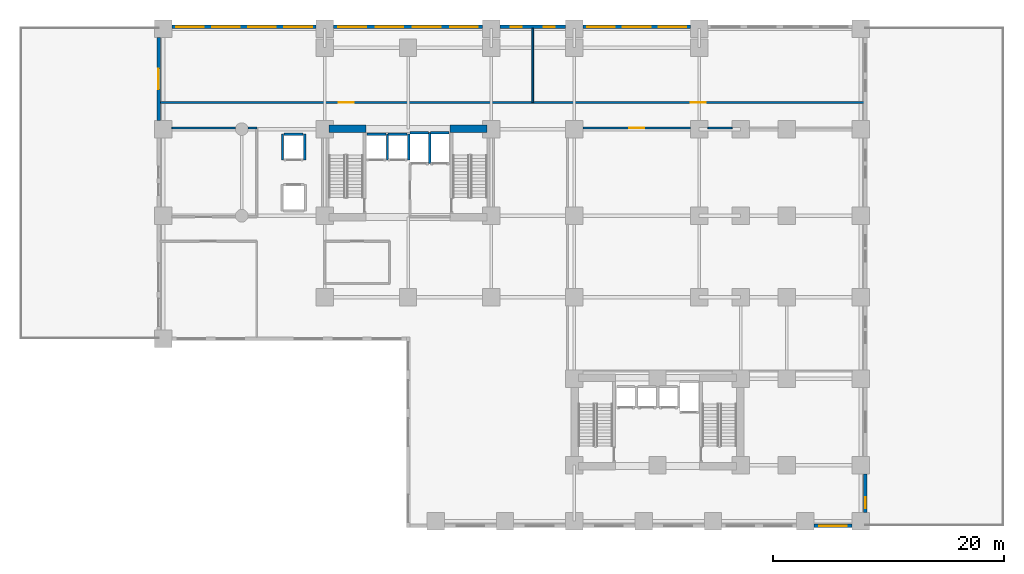
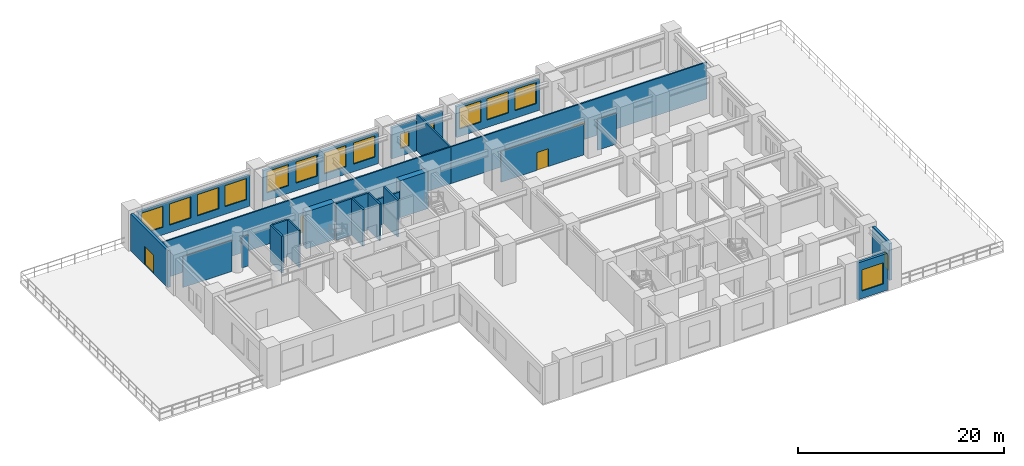
# One storey, part 5 of 10: 26 walls, 15 windows, 4 doors, 19 openings.
"""IFC4 building model written with IfcOpenShell, lengths in metres."""

from ifc_helpers import new_model, si_unit, direction, frame, frame_2d, origin, place, context, subcontext, project, spatial, rectangle, extrude, material, layer, layer_set, type_object, element, fill, save


model = new_model("IFC4")

# Units and contexts
model_context = context("Model", 3, precision=1e-05, world=origin(), true_north=direction((0.0, 1.0)))
body_context = subcontext(model_context, "Body", "Model", "MODEL_VIEW")
ifc_project = project(units=[si_unit("LENGTHUNIT", "METRE"), si_unit("AREAUNIT", "SQUARE_METRE"), si_unit("VOLUMEUNIT", "CUBIC_METRE"), si_unit("PLANEANGLEUNIT", "RADIAN"), si_unit("MASSUNIT", "GRAM", prefix="KILO")], contexts=[model_context])

# Site, building, storey
site_placement = place(None, origin())
site = spatial("IfcSite", under=ifc_project, at=site_placement, CompositionType="ELEMENT")
building_placement = place(site_placement, origin())
building = spatial("IfcBuilding", under=site, at=building_placement, Name="Kaliganga Portal Commons", CompositionType="ELEMENT")
storey_placement = place(building_placement, frame((0.0, 0.0, 15.0)))
storey = spatial("IfcBuildingStorey", under=building, at=storey_placement, Name="L03", CompositionType="ELEMENT", Elevation=15.0)

# Walls
ifc_material_1 = material(Name="Concrete C70/85", Category="concrete")
ifc_layer_1 = layer(ifc_material_1, 0.64990234375)
ifc_layer_set_1 = layer_set([ifc_layer_1], Name="Concrete C70/85")
wall_type_1 = type_object("IfcWallType", Name="WL-CORE-650", PredefinedType="SHEAR", material=ifc_layer_set_1)
for number, where, z_axis, x_axis, name in (
    (1, (14.75, 36.175048828125, 0.0), (0.0, 0.0, 1.0), (1.0, 0.0, 0.0), "Core A N-West Shear Wall L03"),
    (2, (25.25, 36.175048828125, 0.0), (0.0, 0.0, 1.0), (1.0, 0.0, 0.0), "Core A N-East Shear Wall L03"),
):
    element("IfcWall", number, at=place(storey_placement, frame(where, z_axis=z_axis, x_axis=x_axis)), inside=storey, type_object=wall_type_1, Name=name, PredefinedType="SHEAR", context=body_context, shape_type="SweptSolid", body=[
        extrude(rectangle(XDim=3.199951171875, YDim=0.64990234375, at=frame_2d((1.60009765625, 0.0))), origin(), (0.0, 0.0, 1.0), 4.3798828125),
    ])

# Wall, opening, window
ifc_material_2 = material(Name="Precast concrete C40/50", Category="concrete")
ifc_layer_2 = layer(ifc_material_2, 0.300048828125)
ifc_layer_set_2 = layer_set([ifc_layer_2], Name="Precast concrete C40/50")
wall_type_2 = type_object("IfcWallType", Name="WL-EXT-POD-300", PredefinedType="STANDARD", material=ifc_layer_set_2)
wall_1_placement = place(storey_placement, frame((60.049072265625, 1.800048828125, 0.0), z_axis=(0.0, 0.0, 1.0), x_axis=(-1.0, 0.0, 0.0)))
wall_1 = element("IfcWall", 3, at=wall_1_placement, inside=storey, type_object=wall_type_2, Name="Exterior Envelope Wall L03 P1-E00-S7", PredefinedType="STANDARD", context=body_context, shape_type="SweptSolid", body=[
    extrude(rectangle(XDim=3.298095703125, YDim=0.300048828125, at=frame_2d((1.64892578125, 0.0))), origin(), (0.0, 0.0, 1.0), 4.360107421875),
])
opening_1_placement = place(wall_1_placement, frame((0.448974609375, 0.0, 0.89990234375)))
opening_1 = element("IfcOpeningElement", 4, at=opening_1_placement, cuts=wall_1, Name="Opening W-05", PredefinedType="OPENING", context=body_context, shape_type="SweptSolid", body=[
    extrude(rectangle(XDim=2.39990234375, YDim=2.5, at=frame_2d((1.199951171875, 1.25))), frame((0.0, 0.16015625, 0.0), z_axis=(0.0, -1.0, 0.0), x_axis=(1.0, 0.0, 0.0)), (0.0, 0.0, 1.0), 0.320068359375),
])
ifc_material_3 = material(Name="Thermally Broken Aluminium and Low-E Double Glazing", Category="aluminium")
window_type_1 = type_object("IfcWindowType", Name="WIN-POD-2400", PartitioningType="TRIPLE_PANEL_VERTICAL", PredefinedType="WINDOW", material=ifc_material_3)
window_1_placement = place(opening_1_placement, origin())
window_1 = element("IfcWindow", 5, at=window_1_placement, inside=storey, type_object=window_type_1, Name="Facade Window L03-P1E00S7-00", OverallHeight=2.5, OverallWidth=2.39990234375, PartitioningType="SINGLE_PANEL", PredefinedType="WINDOW", context=body_context, shape_type="SweptSolid", body=[
    extrude(rectangle(XDim=2.39990234375, YDim=2.5, at=frame_2d((1.199951171875, 1.25))), frame((0.0, 0.030029296875, 0.0), z_axis=(0.0, -1.0, 0.0), x_axis=(1.0, 0.0, 0.0)), (0.0, 0.0, 1.0), 0.06005859375),
])
fill(opening_1, window_1)

wall_2_placement = place(storey_placement, frame((61.199951171875, 6.299072265625, 0.0), z_axis=(0.0, 0.0, 1.0), x_axis=(0.0, -1.0, 0.0)))
wall_2 = element("IfcWall", 6, at=wall_2_placement, inside=storey, type_object=wall_type_2, Name="Exterior Envelope Wall L03 P1-E01-S1", PredefinedType="STANDARD", context=body_context, shape_type="SweptSolid", body=[
    extrude(rectangle(XDim=3.34814453125, YDim=0.300048828125, at=frame_2d((1.674072265625, 0.0))), origin(), (0.0, 0.0, 1.0), 4.360107421875),
])
opening_2_placement = place(wall_2_placement, frame((2.029296875, 0.0, 0.89990234375)))
opening_2 = element("IfcOpeningElement", 7, at=opening_2_placement, cuts=wall_2, Name="Opening W-04", PredefinedType="OPENING", context=body_context, shape_type="SweptSolid", body=[
    extrude(rectangle(XDim=0.949951171875, YDim=1.75, at=frame_2d((0.47509765625, 0.875))), frame((0.0, 0.16015625, 0.0), z_axis=(0.0, -1.0, 0.0), x_axis=(1.0, 0.0, 0.0)), (0.0, 0.0, 1.0), 0.320068359375),
])
window_type_2 = type_object("IfcWindowType", Name="WIN-NARROW-950", PartitioningType="SINGLE_PANEL", PredefinedType="WINDOW", material=ifc_material_3)
window_2_placement = place(opening_2_placement, origin())
window_2 = element("IfcWindow", 8, at=window_2_placement, inside=storey, type_object=window_type_2, Name="Facade Window L03-P1E01S1-N2", OverallHeight=1.75, OverallWidth=0.949951171875, PartitioningType="SINGLE_PANEL", PredefinedType="WINDOW", context=body_context, shape_type="SweptSolid", body=[
    extrude(rectangle(XDim=0.949951171875, YDim=1.75, at=frame_2d((0.47509765625, 0.875))), frame((0.0, 0.030029296875, 0.0), z_axis=(0.0, -1.0, 0.0), x_axis=(1.0, 0.0, 0.0)), (0.0, 0.0, 1.0), 0.06005859375),
])
fill(opening_2, window_2)

# Wall, openings, windows
wall_3_placement = place(storey_placement, frame((36.7509765625, 45.0, 0.0), z_axis=(0.0, 0.0, 1.0), x_axis=(1.0, 0.0, 0.0)))
wall_3 = element("IfcWall", 9, at=wall_3_placement, inside=storey, type_object=wall_type_2, Name="Exterior Envelope Wall L03 P1-E02-S2", PredefinedType="STANDARD", context=body_context, shape_type="SweptSolid", body=[
    extrude(rectangle(XDim=9.298095703125, YDim=0.300048828125, at=frame_2d((4.64892578125, 0.0))), origin(), (0.0, 0.0, 1.0), 3.659912109375),
])
opening_3_placement = place(wall_3_placement, frame((0.349609375, 0.0, 0.89990234375)))
opening_3 = element("IfcOpeningElement", 10, at=opening_3_placement, cuts=wall_3, Name="Opening W-05", PredefinedType="OPENING", context=body_context, shape_type="SweptSolid", body=[
    extrude(rectangle(XDim=2.39990234375, YDim=2.5, at=frame_2d((1.199951171875, 1.25))), frame((0.0, 0.16015625, 0.0), z_axis=(0.0, -1.0, 0.0), x_axis=(1.0, 0.0, 0.0)), (0.0, 0.0, 1.0), 0.320068359375),
])
opening_4_placement = place(wall_3_placement, frame((3.448974609375, 0.0, 0.89990234375)))
opening_4 = element("IfcOpeningElement", 11, at=opening_4_placement, cuts=wall_3, Name="Opening W-05", PredefinedType="OPENING", context=body_context, shape_type="SweptSolid", body=[
    extrude(rectangle(XDim=2.39990234375, YDim=2.5, at=frame_2d((1.199951171875, 1.25))), frame((0.0, 0.16015625, 0.0), z_axis=(0.0, -1.0, 0.0), x_axis=(1.0, 0.0, 0.0)), (0.0, 0.0, 1.0), 0.320068359375),
])
opening_5_placement = place(wall_3_placement, frame((6.54833984375, 0.0, 0.89990234375)))
opening_5 = element("IfcOpeningElement", 12, at=opening_5_placement, cuts=wall_3, Name="Opening W-05", PredefinedType="OPENING", context=body_context, shape_type="SweptSolid", body=[
    extrude(rectangle(XDim=2.39990234375, YDim=2.5, at=frame_2d((1.199951171875, 1.25))), frame((0.0, 0.16015625, 0.0), z_axis=(0.0, -1.0, 0.0), x_axis=(1.0, 0.0, 0.0)), (0.0, 0.0, 1.0), 0.320068359375),
])
window_3_placement = place(opening_3_placement, origin())
window_3 = element("IfcWindow", 13, at=window_3_placement, inside=storey, type_object=window_type_1, Name="Facade Window L03-P1E02S2-00", OverallHeight=2.5, OverallWidth=2.39990234375, PartitioningType="SINGLE_PANEL", PredefinedType="WINDOW", context=body_context, shape_type="SweptSolid", body=[
    extrude(rectangle(XDim=2.39990234375, YDim=2.5, at=frame_2d((1.199951171875, 1.25))), frame((0.0, 0.030029296875, 0.0), z_axis=(0.0, -1.0, 0.0), x_axis=(1.0, 0.0, 0.0)), (0.0, 0.0, 1.0), 0.06005859375),
])
fill(opening_3, window_3)
window_4_placement = place(opening_4_placement, origin())
window_4 = element("IfcWindow", 14, at=window_4_placement, inside=storey, type_object=window_type_1, Name="Facade Window L03-P1E02S2-01", OverallHeight=2.5, OverallWidth=2.39990234375, PartitioningType="SINGLE_PANEL", PredefinedType="WINDOW", context=body_context, shape_type="SweptSolid", body=[
    extrude(rectangle(XDim=2.39990234375, YDim=2.5, at=frame_2d((1.199951171875, 1.25))), frame((0.0, 0.030029296875, 0.0), z_axis=(0.0, -1.0, 0.0), x_axis=(1.0, 0.0, 0.0)), (0.0, 0.0, 1.0), 0.06005859375),
])
fill(opening_4, window_4)
window_5_placement = place(opening_5_placement, origin())
window_5 = element("IfcWindow", 15, at=window_5_placement, inside=storey, type_object=window_type_1, Name="Facade Window L03-P1E02S2-02", OverallHeight=2.5, OverallWidth=2.39990234375, PartitioningType="SINGLE_PANEL", PredefinedType="WINDOW", context=body_context, shape_type="SweptSolid", body=[
    extrude(rectangle(XDim=2.39990234375, YDim=2.5, at=frame_2d((1.199951171875, 1.25))), frame((0.0, 0.030029296875, 0.0), z_axis=(0.0, -1.0, 0.0), x_axis=(1.0, 0.0, 0.0)), (0.0, 0.0, 1.0), 0.06005859375),
])
fill(opening_5, window_5)

wall_4_placement = place(storey_placement, frame((29.551025390625, 45.0, 0.0), z_axis=(0.0, 0.0, 1.0), x_axis=(1.0, 0.0, 0.0)))
wall_4 = element("IfcWall", 16, at=wall_4_placement, inside=storey, type_object=wall_type_2, Name="Exterior Envelope Wall L03 P1-E02-S3", PredefinedType="STANDARD", context=body_context, shape_type="SweptSolid", body=[
    extrude(rectangle(XDim=5.697998046875, YDim=0.300048828125, at=frame_2d((2.84912109375, 0.0))), origin(), (0.0, 0.0, 1.0), 3.659912109375),
])
opening_6_placement = place(wall_4_placement, frame((0.9609375, 0.0, 0.89990234375)))
opening_6 = element("IfcOpeningElement", 17, at=opening_6_placement, cuts=wall_4, Name="Opening W-04", PredefinedType="OPENING", context=body_context, shape_type="SweptSolid", body=[
    extrude(rectangle(XDim=0.949951171875, YDim=1.75, at=frame_2d((0.47509765625, 0.875))), frame((0.0, 0.16015625, 0.0), z_axis=(0.0, -1.0, 0.0), x_axis=(1.0, 0.0, 0.0)), (0.0, 0.0, 1.0), 0.320068359375),
])
opening_7_placement = place(wall_4_placement, frame((3.787109375, 0.0, 0.89990234375)))
opening_7 = element("IfcOpeningElement", 18, at=opening_7_placement, cuts=wall_4, Name="Opening W-04", PredefinedType="OPENING", context=body_context, shape_type="SweptSolid", body=[
    extrude(rectangle(XDim=0.949951171875, YDim=1.75, at=frame_2d((0.47509765625, 0.875))), frame((0.0, 0.16015625, 0.0), z_axis=(0.0, -1.0, 0.0), x_axis=(1.0, 0.0, 0.0)), (0.0, 0.0, 1.0), 0.320068359375),
])
window_6_placement = place(opening_6_placement, origin())
window_6 = element("IfcWindow", 19, at=window_6_placement, inside=storey, type_object=window_type_2, Name="Facade Window L03-P1E02S3-N1", OverallHeight=1.75, OverallWidth=0.949951171875, PartitioningType="SINGLE_PANEL", PredefinedType="WINDOW", context=body_context, shape_type="SweptSolid", body=[
    extrude(rectangle(XDim=0.949951171875, YDim=1.75, at=frame_2d((0.47509765625, 0.875))), frame((0.0, 0.030029296875, 0.0), z_axis=(0.0, -1.0, 0.0), x_axis=(1.0, 0.0, 0.0)), (0.0, 0.0, 1.0), 0.06005859375),
])
fill(opening_6, window_6)
window_7_placement = place(opening_7_placement, origin())
window_7 = element("IfcWindow", 20, at=window_7_placement, inside=storey, type_object=window_type_2, Name="Facade Window L03-P1E02S3-N2", OverallHeight=1.75, OverallWidth=0.949951171875, PartitioningType="SINGLE_PANEL", PredefinedType="WINDOW", context=body_context, shape_type="SweptSolid", body=[
    extrude(rectangle(XDim=0.949951171875, YDim=1.75, at=frame_2d((0.47509765625, 0.875))), frame((0.0, 0.030029296875, 0.0), z_axis=(0.0, -1.0, 0.0), x_axis=(1.0, 0.0, 0.0)), (0.0, 0.0, 1.0), 0.06005859375),
])
fill(opening_7, window_7)

wall_5_placement = place(storey_placement, frame((15.15087890625, 45.0, 0.0), z_axis=(0.0, 0.0, 1.0), x_axis=(1.0, 0.0, 0.0)))
wall_5 = element("IfcWall", 21, at=wall_5_placement, inside=storey, type_object=wall_type_2, Name="Exterior Envelope Wall L03 P1-E02-S4", PredefinedType="STANDARD", context=body_context, shape_type="SweptSolid", body=[
    extrude(rectangle(XDim=12.898193359375, YDim=0.300048828125, at=frame_2d((6.44921875, 0.0))), origin(), (0.0, 0.0, 1.0), 3.659912109375),
])
opening_8_placement = place(wall_5_placement, frame((0.412353515625, 0.0, 0.89990234375)))
opening_8 = element("IfcOpeningElement", 22, at=opening_8_placement, cuts=wall_5, Name="Opening W-05", PredefinedType="OPENING", context=body_context, shape_type="SweptSolid", body=[
    extrude(rectangle(XDim=2.39990234375, YDim=2.5, at=frame_2d((1.199951171875, 1.25))), frame((0.0, 0.16015625, 0.0), z_axis=(0.0, -1.0, 0.0), x_axis=(1.0, 0.0, 0.0)), (0.0, 0.0, 1.0), 0.320068359375),
])
opening_9_placement = place(wall_5_placement, frame((3.63671875, 0.0, 0.89990234375)))
opening_9 = element("IfcOpeningElement", 23, at=opening_9_placement, cuts=wall_5, Name="Opening W-05", PredefinedType="OPENING", context=body_context, shape_type="SweptSolid", body=[
    extrude(rectangle(XDim=2.39990234375, YDim=2.5, at=frame_2d((1.199951171875, 1.25))), frame((0.0, 0.16015625, 0.0), z_axis=(0.0, -1.0, 0.0), x_axis=(1.0, 0.0, 0.0)), (0.0, 0.0, 1.0), 0.320068359375),
])
opening_10_placement = place(wall_5_placement, frame((6.861083984375, 0.0, 0.89990234375)))
opening_10 = element("IfcOpeningElement", 24, at=opening_10_placement, cuts=wall_5, Name="Opening W-05", PredefinedType="OPENING", context=body_context, shape_type="SweptSolid", body=[
    extrude(rectangle(XDim=2.39990234375, YDim=2.5, at=frame_2d((1.199951171875, 1.25))), frame((0.0, 0.16015625, 0.0), z_axis=(0.0, -1.0, 0.0), x_axis=(1.0, 0.0, 0.0)), (0.0, 0.0, 1.0), 0.320068359375),
])
opening_11_placement = place(wall_5_placement, frame((10.085693359375, 0.0, 0.89990234375)))
opening_11 = element("IfcOpeningElement", 25, at=opening_11_placement, cuts=wall_5, Name="Opening W-05", PredefinedType="OPENING", context=body_context, shape_type="SweptSolid", body=[
    extrude(rectangle(XDim=2.39990234375, YDim=2.5, at=frame_2d((1.199951171875, 1.25))), frame((0.0, 0.16015625, 0.0), z_axis=(0.0, -1.0, 0.0), x_axis=(1.0, 0.0, 0.0)), (0.0, 0.0, 1.0), 0.320068359375),
])
window_8_placement = place(opening_8_placement, origin())
window_8 = element("IfcWindow", 26, at=window_8_placement, inside=storey, type_object=window_type_1, Name="Facade Window L03-P1E02S4-00", OverallHeight=2.5, OverallWidth=2.39990234375, PartitioningType="SINGLE_PANEL", PredefinedType="WINDOW", context=body_context, shape_type="SweptSolid", body=[
    extrude(rectangle(XDim=2.39990234375, YDim=2.5, at=frame_2d((1.199951171875, 1.25))), frame((0.0, 0.030029296875, 0.0), z_axis=(0.0, -1.0, 0.0), x_axis=(1.0, 0.0, 0.0)), (0.0, 0.0, 1.0), 0.06005859375),
])
fill(opening_8, window_8)
window_9_placement = place(opening_9_placement, origin())
window_9 = element("IfcWindow", 27, at=window_9_placement, inside=storey, type_object=window_type_1, Name="Facade Window L03-P1E02S4-01", OverallHeight=2.5, OverallWidth=2.39990234375, PartitioningType="SINGLE_PANEL", PredefinedType="WINDOW", context=body_context, shape_type="SweptSolid", body=[
    extrude(rectangle(XDim=2.39990234375, YDim=2.5, at=frame_2d((1.199951171875, 1.25))), frame((0.0, 0.030029296875, 0.0), z_axis=(0.0, -1.0, 0.0), x_axis=(1.0, 0.0, 0.0)), (0.0, 0.0, 1.0), 0.06005859375),
])
fill(opening_9, window_9)
window_10_placement = place(opening_10_placement, origin())
window_10 = element("IfcWindow", 28, at=window_10_placement, inside=storey, type_object=window_type_1, Name="Facade Window L03-P1E02S4-02", OverallHeight=2.5, OverallWidth=2.39990234375, PartitioningType="SINGLE_PANEL", PredefinedType="WINDOW", context=body_context, shape_type="SweptSolid", body=[
    extrude(rectangle(XDim=2.39990234375, YDim=2.5, at=frame_2d((1.199951171875, 1.25))), frame((0.0, 0.030029296875, 0.0), z_axis=(0.0, -1.0, 0.0), x_axis=(1.0, 0.0, 0.0)), (0.0, 0.0, 1.0), 0.06005859375),
])
fill(opening_10, window_10)
window_11_placement = place(opening_11_placement, origin())
window_11 = element("IfcWindow", 29, at=window_11_placement, inside=storey, type_object=window_type_1, Name="Facade Window L03-P1E02S4-03", OverallHeight=2.5, OverallWidth=2.39990234375, PartitioningType="SINGLE_PANEL", PredefinedType="WINDOW", context=body_context, shape_type="SweptSolid", body=[
    extrude(rectangle(XDim=2.39990234375, YDim=2.5, at=frame_2d((1.199951171875, 1.25))), frame((0.0, 0.030029296875, 0.0), z_axis=(0.0, -1.0, 0.0), x_axis=(1.0, 0.0, 0.0)), (0.0, 0.0, 1.0), 0.06005859375),
])
fill(opening_11, window_11)

wall_6_placement = place(storey_placement, frame((1.15087890625, 45.0, 0.0), z_axis=(0.0, 0.0, 1.0), x_axis=(1.0, 0.0, 0.0)))
wall_6 = element("IfcWall", 30, at=wall_6_placement, inside=storey, type_object=wall_type_2, Name="Exterior Envelope Wall L03 P1-E02-S5", PredefinedType="STANDARD", context=body_context, shape_type="SweptSolid", body=[
    extrude(rectangle(XDim=12.498046875, YDim=0.300048828125, at=frame_2d((6.2490234375, 0.0))), origin(), (0.0, 0.0, 1.0), 3.659912109375),
])
opening_12_placement = place(wall_6_placement, frame((0.3623046875, 0.0, 0.89990234375)))
opening_12 = element("IfcOpeningElement", 31, at=opening_12_placement, cuts=wall_6, Name="Opening W-05", PredefinedType="OPENING", context=body_context, shape_type="SweptSolid", body=[
    extrude(rectangle(XDim=2.39990234375, YDim=2.5, at=frame_2d((1.199951171875, 1.25))), frame((0.0, 0.16015625, 0.0), z_axis=(0.0, -1.0, 0.0), x_axis=(1.0, 0.0, 0.0)), (0.0, 0.0, 1.0), 0.320068359375),
])
opening_13_placement = place(wall_6_placement, frame((3.48681640625, 0.0, 0.89990234375)))
opening_13 = element("IfcOpeningElement", 32, at=opening_13_placement, cuts=wall_6, Name="Opening W-05", PredefinedType="OPENING", context=body_context, shape_type="SweptSolid", body=[
    extrude(rectangle(XDim=2.39990234375, YDim=2.5, at=frame_2d((1.199951171875, 1.25))), frame((0.0, 0.16015625, 0.0), z_axis=(0.0, -1.0, 0.0), x_axis=(1.0, 0.0, 0.0)), (0.0, 0.0, 1.0), 0.320068359375),
])
opening_14_placement = place(wall_6_placement, frame((6.611083984375, 0.0, 0.89990234375)))
opening_14 = element("IfcOpeningElement", 33, at=opening_14_placement, cuts=wall_6, Name="Opening W-05", PredefinedType="OPENING", context=body_context, shape_type="SweptSolid", body=[
    extrude(rectangle(XDim=2.39990234375, YDim=2.5, at=frame_2d((1.199951171875, 1.25))), frame((0.0, 0.16015625, 0.0), z_axis=(0.0, -1.0, 0.0), x_axis=(1.0, 0.0, 0.0)), (0.0, 0.0, 1.0), 0.320068359375),
])
opening_15_placement = place(wall_6_placement, frame((9.735595703125, 0.0, 0.89990234375)))
opening_15 = element("IfcOpeningElement", 34, at=opening_15_placement, cuts=wall_6, Name="Opening W-05", PredefinedType="OPENING", context=body_context, shape_type="SweptSolid", body=[
    extrude(rectangle(XDim=2.39990234375, YDim=2.5, at=frame_2d((1.199951171875, 1.25))), frame((0.0, 0.16015625, 0.0), z_axis=(0.0, -1.0, 0.0), x_axis=(1.0, 0.0, 0.0)), (0.0, 0.0, 1.0), 0.320068359375),
])
window_12_placement = place(opening_12_placement, origin())
window_12 = element("IfcWindow", 35, at=window_12_placement, inside=storey, type_object=window_type_1, Name="Facade Window L03-P1E02S5-00", OverallHeight=2.5, OverallWidth=2.39990234375, PartitioningType="SINGLE_PANEL", PredefinedType="WINDOW", context=body_context, shape_type="SweptSolid", body=[
    extrude(rectangle(XDim=2.39990234375, YDim=2.5, at=frame_2d((1.199951171875, 1.25))), frame((0.0, 0.030029296875, 0.0), z_axis=(0.0, -1.0, 0.0), x_axis=(1.0, 0.0, 0.0)), (0.0, 0.0, 1.0), 0.06005859375),
])
fill(opening_12, window_12)
window_13_placement = place(opening_13_placement, origin())
window_13 = element("IfcWindow", 36, at=window_13_placement, inside=storey, type_object=window_type_1, Name="Facade Window L03-P1E02S5-01", OverallHeight=2.5, OverallWidth=2.39990234375, PartitioningType="SINGLE_PANEL", PredefinedType="WINDOW", context=body_context, shape_type="SweptSolid", body=[
    extrude(rectangle(XDim=2.39990234375, YDim=2.5, at=frame_2d((1.199951171875, 1.25))), frame((0.0, 0.030029296875, 0.0), z_axis=(0.0, -1.0, 0.0), x_axis=(1.0, 0.0, 0.0)), (0.0, 0.0, 1.0), 0.06005859375),
])
fill(opening_13, window_13)
window_14_placement = place(opening_14_placement, origin())
window_14 = element("IfcWindow", 37, at=window_14_placement, inside=storey, type_object=window_type_1, Name="Facade Window L03-P1E02S5-02", OverallHeight=2.5, OverallWidth=2.39990234375, PartitioningType="SINGLE_PANEL", PredefinedType="WINDOW", context=body_context, shape_type="SweptSolid", body=[
    extrude(rectangle(XDim=2.39990234375, YDim=2.5, at=frame_2d((1.199951171875, 1.25))), frame((0.0, 0.030029296875, 0.0), z_axis=(0.0, -1.0, 0.0), x_axis=(1.0, 0.0, 0.0)), (0.0, 0.0, 1.0), 0.06005859375),
])
fill(opening_14, window_14)
window_15_placement = place(opening_15_placement, origin())
window_15 = element("IfcWindow", 38, at=window_15_placement, inside=storey, type_object=window_type_1, Name="Facade Window L03-P1E02S5-03", OverallHeight=2.5, OverallWidth=2.39990234375, PartitioningType="SINGLE_PANEL", PredefinedType="WINDOW", context=body_context, shape_type="SweptSolid", body=[
    extrude(rectangle(XDim=2.39990234375, YDim=2.5, at=frame_2d((1.199951171875, 1.25))), frame((0.0, 0.030029296875, 0.0), z_axis=(0.0, -1.0, 0.0), x_axis=(1.0, 0.0, 0.0)), (0.0, 0.0, 1.0), 0.06005859375),
])
fill(opening_15, window_15)

# Wall, opening, door
wall_7_placement = place(storey_placement, frame((0.0, 36.90087890625, 0.0), z_axis=(0.0, 0.0, 1.0), x_axis=(0.0, 1.0, 0.0)))
wall_7 = element("IfcWall", 39, at=wall_7_placement, inside=storey, type_object=wall_type_2, Name="Exterior Envelope Wall L03 P1-E03-S1", PredefinedType="STANDARD", context=body_context, shape_type="SweptSolid", body=[
    extrude(rectangle(XDim=7.1982421875, YDim=0.300048828125, at=frame_2d((3.59912109375, 0.0))), origin(), (0.0, 0.0, 1.0), 4.360107421875),
])
opening_16_placement = place(wall_7_placement, frame((2.698974609375, 0.0, 0.0)))
opening_16 = element("IfcOpeningElement", 40, at=opening_16_placement, cuts=wall_7, Name="Opening TD-01", PredefinedType="OPENING", context=body_context, shape_type="SweptSolid", body=[
    extrude(rectangle(XDim=1.800048828125, YDim=2.199951171875, at=frame_2d((0.89990234375, 1.10009765625))), frame((0.0, 0.16015625, 0.0), z_axis=(0.0, -1.0, 0.0), x_axis=(1.0, 0.0, 0.0)), (0.0, 0.0, 1.0), 0.320068359375),
])
ifc_material_4 = material(Name="Anodized Aluminium and Laminated Safety Glass", Category="aluminium")
door_type_1 = type_object("IfcDoorType", Name="DR-TERR-1800", OperationType="DOUBLE_DOOR_SINGLE_SWING", PredefinedType="DOOR", material=ifc_material_4)
door_1_placement = place(opening_16_placement, origin())
door_1 = element("IfcDoor", 41, at=door_1_placement, inside=storey, type_object=door_type_1, Name="Terrace Access Door L03 west_podium_terrace", OperationType="DOUBLE_DOOR_SINGLE_SWING", OverallHeight=2.199951171875, OverallWidth=1.800048828125, PredefinedType="DOOR", context=body_context, shape_type="SweptSolid", body=[
    extrude(rectangle(XDim=1.800048828125, YDim=2.199951171875, at=frame_2d((0.89990234375, 1.10009765625))), frame((0.0, 0.02490234375, 0.0), z_axis=(0.0, -1.0, 0.0), x_axis=(1.0, 0.0, 0.0)), (0.0, 0.0, 1.0), 0.050048828125),
])
fill(opening_16, door_1)

ifc_material_5 = material(Name="Fire-Rated Gypsum Board on Steel Stud", Category="steel")
ifc_layer_3 = layer(ifc_material_5, 0.14990234375)
ifc_layer_set_3 = layer_set([ifc_layer_3], Name="Fire-Rated Gypsum Board on Steel Stud")
wall_type_3 = type_object("IfcWallType", Name="WL-PART-CORR-150", PredefinedType="PARTITIONING", material=ifc_layer_set_3)
wall_8_placement = place(storey_placement, frame((0.132080078125, 38.4599609375, 0.0), z_axis=(0.0, 0.0, 1.0), x_axis=(1.0, 0.0, 0.0)))
wall_8 = element("IfcWall", 42, at=wall_8_placement, inside=storey, type_object=wall_type_3, Name="Interior Partition L03-001", PredefinedType="PARTITIONING", context=body_context, shape_type="SweptSolid", body=[
    extrude(rectangle(XDim=32.267822265625, YDim=0.14990234375, at=frame_2d((16.1337890625, 0.0))), origin(), (0.0, 0.0, 1.0), 4.360107421875),
])
opening_17_placement = place(wall_8_placement, frame((15.48388671875, 0.0, 0.0)))
opening_17 = element("IfcOpeningElement", 43, at=opening_17_placement, cuts=wall_8, Name="Opening RD-03", PredefinedType="OPENING", context=body_context, shape_type="SweptSolid", body=[
    extrude(rectangle(XDim=1.300048828125, YDim=2.1201171875, at=frame_2d((0.64990234375, 1.06005859375))), frame((0.0, 0.0849609375, 0.0), z_axis=(0.0, -1.0, 0.0), x_axis=(1.0, 0.0, 0.0)), (0.0, 0.0, 1.0), 0.169921875),
])
ifc_material_6 = material(Name="Glazed Timber Seminar Vision Door", Category="wood")
door_type_2 = type_object("IfcDoorType", Name="DR-STUDY-1300", OperationType="DOUBLE_DOOR_SINGLE_SWING", PredefinedType="DOOR", material=ifc_material_6)
door_2_placement = place(opening_17_placement, origin())
door_2 = element("IfcDoor", 44, at=door_2_placement, inside=storey, type_object=door_type_2, Name="Interior Door L03-GYM", OperationType="DOUBLE_DOOR_SINGLE_SWING", OverallHeight=2.1201171875, OverallWidth=1.300048828125, PredefinedType="DOOR", context=body_context, shape_type="SweptSolid", body=[
    extrude(rectangle(XDim=1.300048828125, YDim=2.1201171875, at=frame_2d((0.64990234375, 1.06005859375))), frame((0.0, 0.02490234375, 0.0), z_axis=(0.0, -1.0, 0.0), x_axis=(1.0, 0.0, 0.0)), (0.0, 0.0, 1.0), 0.050048828125),
])
fill(opening_17, door_2)

wall_9_placement = place(storey_placement, frame((32.39990234375, 38.4599609375, 0.0), z_axis=(0.0, 0.0, 1.0), x_axis=(1.0, 0.0, 0.0)))
wall_9 = element("IfcWall", 45, at=wall_9_placement, inside=storey, type_object=wall_type_3, Name="Interior Partition L03-002", PredefinedType="PARTITIONING", context=body_context, shape_type="SweptSolid", body=[
    extrude(rectangle(XDim=28.668212890625, YDim=0.14990234375, at=frame_2d((14.333984375, 0.0))), origin(), (0.0, 0.0, 1.0), 4.360107421875),
])
opening_18_placement = place(wall_9_placement, frame((13.68408203125, 0.0, 0.0)))
opening_18 = element("IfcOpeningElement", 46, at=opening_18_placement, cuts=wall_9, Name="Opening RD-03", PredefinedType="OPENING", context=body_context, shape_type="SweptSolid", body=[
    extrude(rectangle(XDim=1.300048828125, YDim=2.1201171875, at=frame_2d((0.64990234375, 1.06005859375))), frame((0.0, 0.0849609375, 0.0), z_axis=(0.0, -1.0, 0.0), x_axis=(1.0, 0.0, 0.0)), (0.0, 0.0, 1.0), 0.169921875),
])
door_3_placement = place(opening_18_placement, origin())
door_3 = element("IfcDoor", 47, at=door_3_placement, inside=storey, type_object=door_type_2, Name="Interior Door L03-MUSIC", OperationType="DOUBLE_DOOR_SINGLE_SWING", OverallHeight=2.1201171875, OverallWidth=1.300048828125, PredefinedType="DOOR", context=body_context, shape_type="SweptSolid", body=[
    extrude(rectangle(XDim=1.300048828125, YDim=2.1201171875, at=frame_2d((0.64990234375, 1.06005859375))), frame((0.0, 0.02490234375, 0.0), z_axis=(0.0, -1.0, 0.0), x_axis=(1.0, 0.0, 0.0)), (0.0, 0.0, 1.0), 0.050048828125),
])
fill(opening_18, door_3)

wall_10_placement = place(storey_placement, frame((36.75, 36.239990234375, 0.0), z_axis=(0.0, 0.0, 1.0), x_axis=(1.0, 0.0, 0.0)))
wall_10 = element("IfcWall", 48, at=wall_10_placement, inside=storey, type_object=wall_type_3, Name="Interior Partition L03-003", PredefinedType="PARTITIONING", context=body_context, shape_type="SweptSolid", body=[
    extrude(rectangle(XDim=9.300048828125, YDim=0.14990234375, at=frame_2d((4.64990234375, 0.0))), origin(), (0.0, 0.0, 1.0), 3.659912109375),
])
opening_19_placement = place(wall_10_placement, frame((4.0, 0.0, 0.0)))
opening_19 = element("IfcOpeningElement", 49, at=opening_19_placement, cuts=wall_10, Name="Opening RD-03", PredefinedType="OPENING", context=body_context, shape_type="SweptSolid", body=[
    extrude(rectangle(XDim=1.300048828125, YDim=2.1201171875, at=frame_2d((0.64990234375, 1.06005859375))), frame((0.0, 0.0849609375, 0.0), z_axis=(0.0, -1.0, 0.0), x_axis=(1.0, 0.0, 0.0)), (0.0, 0.0, 1.0), 0.169921875),
])
door_4_placement = place(opening_19_placement, origin())
door_4 = element("IfcDoor", 50, at=door_4_placement, inside=storey, type_object=door_type_2, Name="Interior Door L03-GAMES", OperationType="DOUBLE_DOOR_SINGLE_SWING", OverallHeight=2.1201171875, OverallWidth=1.300048828125, PredefinedType="DOOR", context=body_context, shape_type="SweptSolid", body=[
    extrude(rectangle(XDim=1.300048828125, YDim=2.1201171875, at=frame_2d((0.64990234375, 1.06005859375))), frame((0.0, 0.02490234375, 0.0), z_axis=(0.0, -1.0, 0.0), x_axis=(1.0, 0.0, 0.0)), (0.0, 0.0, 1.0), 0.050048828125),
])
fill(opening_19, door_4)

# Walls
wall_11_placement = place(storey_placement, frame((47.550048828125, 36.239990234375, 0.0), z_axis=(0.0, 0.0, 1.0), x_axis=(1.0, 0.0, 0.0)))
element("IfcWall", 51, at=wall_11_placement, inside=storey, type_object=wall_type_3, Name="Interior Partition L03-004", PredefinedType="PARTITIONING", context=body_context, shape_type="SweptSolid", body=[
    extrude(rectangle(XDim=2.099853515625, YDim=0.14990234375, at=frame_2d((1.0498046875, 0.0))), origin(), (0.0, 0.0, 1.0), 3.659912109375),
])
wall_12_placement = place(storey_placement, frame((1.14990234375, 36.239990234375, 0.0), z_axis=(0.0, 0.0, 1.0), x_axis=(1.0, 0.0, 0.0)))
element("IfcWall", 52, at=wall_12_placement, inside=storey, type_object=wall_type_3, Name="Interior Partition L03-013", PredefinedType="PARTITIONING", context=body_context, shape_type="SweptSolid", body=[
    extrude(rectangle(XDim=5.5, YDim=0.14990234375, at=frame_2d((2.75, 0.0))), origin(), (0.0, 0.0, 1.0), 3.659912109375),
])
wall_13_placement = place(storey_placement, frame((7.75, 36.239990234375, 0.0), z_axis=(0.0, 0.0, 1.0), x_axis=(1.0, 0.0, 0.0)))
element("IfcWall", 53, at=wall_13_placement, inside=storey, type_object=wall_type_3, Name="Interior Partition L03-014", PredefinedType="PARTITIONING", context=body_context, shape_type="SweptSolid", body=[
    extrude(rectangle(XDim=0.75, YDim=0.14990234375, at=frame_2d((0.375, 0.0))), origin(), (0.0, 0.0, 1.0), 3.659912109375),
])
ifc_material_7 = material(Name="Twin-Stud Acoustic Gypsum Partition", Category="gypsum")
ifc_layer_4 = layer(ifc_material_7, 0.1650390625)
ifc_layer_set_4 = layer_set([ifc_layer_4], Name="Twin-Stud Acoustic Gypsum Partition")
wall_type_4 = type_object("IfcWallType", Name="WL-PART-UNIT-165", PredefinedType="PARTITIONING", material=ifc_layer_set_4)
wall_14_placement = place(storey_placement, frame((32.39990234375, 38.4599609375, 0.0), z_axis=(0.0, 0.0, 1.0), x_axis=(0.0, 1.0, 0.0)))
element("IfcWall", 54, at=wall_14_placement, inside=storey, type_object=wall_type_4, Name="Interior Partition L03-022", PredefinedType="PARTITIONING", context=body_context, shape_type="SweptSolid", body=[
    extrude(rectangle(XDim=6.407958984375, YDim=0.1650390625, at=frame_2d((3.2041015625, 0.0))), origin(), (0.0, 0.0, 1.0), 4.360107421875),
])
ifc_material_8 = material(Name="Fire-Rated Shaftwall Masonry Assembly", Category="masonry")
ifc_layer_5 = layer(ifc_material_8, 0.199951171875)
ifc_layer_set_5 = layer_set([ifc_layer_5], Name="Fire-Rated Shaftwall Masonry Assembly")
wall_type_5 = type_object("IfcWallType", Name="WL-SHAFT-200", PredefinedType="PARTITIONING", material=ifc_layer_set_5)
wall_15_placement = place(storey_placement, frame((18.02490234375, 35.715087890625, 0.0), z_axis=(0.0, 0.0, 1.0), x_axis=(1.0, 0.0, 0.0)))
element("IfcWall", 55, at=wall_15_placement, inside=storey, type_object=wall_type_5, Name="Lift PL-A1 Hoistway Shaft Wall L03-N", PredefinedType="PARTITIONING", context=body_context, shape_type="SweptSolid", body=[
    extrude(rectangle(XDim=1.650146484375, YDim=0.199951171875, at=frame_2d((0.8251953125, 0.0))), origin(), (0.0, 0.0, 1.0), 4.360107421875),
])
wall_16_placement = place(storey_placement, frame((19.81494140625, 33.485107421875, 0.0), z_axis=(0.0, 0.0, 1.0), x_axis=(0.0, 1.0, 0.0)))
element("IfcWall", 56, at=wall_16_placement, inside=storey, type_object=wall_type_5, Name="Lift PL-A1 Hoistway Shaft Wall L03-E", PredefinedType="PARTITIONING", context=body_context, shape_type="SweptSolid", body=[
    extrude(rectangle(XDim=2.22998046875, YDim=0.199951171875, at=frame_2d((1.114990234375, 0.0))), origin(), (0.0, 0.0, 1.0), 4.360107421875),
])
wall_17_placement = place(storey_placement, frame((19.875, 35.715087890625, 0.0), z_axis=(0.0, 0.0, 1.0), x_axis=(1.0, 0.0, 0.0)))
element("IfcWall", 57, at=wall_17_placement, inside=storey, type_object=wall_type_5, Name="Lift PL-A2 Hoistway Shaft Wall L03-N", PredefinedType="PARTITIONING", context=body_context, shape_type="SweptSolid", body=[
    extrude(rectangle(XDim=1.64990234375, YDim=0.199951171875, at=frame_2d((0.824951171875, 0.0))), origin(), (0.0, 0.0, 1.0), 4.360107421875),
])
wall_18_placement = place(storey_placement, frame((21.6650390625, 33.485107421875, 0.0), z_axis=(0.0, 0.0, 1.0), x_axis=(0.0, 1.0, 0.0)))
element("IfcWall", 58, at=wall_18_placement, inside=storey, type_object=wall_type_5, Name="Lift PL-A2 Hoistway Shaft Wall L03-E", PredefinedType="PARTITIONING", context=body_context, shape_type="SweptSolid", body=[
    extrude(rectangle(XDim=2.22998046875, YDim=0.199951171875, at=frame_2d((1.114990234375, 0.0))), origin(), (0.0, 0.0, 1.0), 4.360107421875),
])
wall_19_placement = place(storey_placement, frame((10.875, 35.715087890625, 0.0), z_axis=(0.0, 0.0, 1.0), x_axis=(1.0, 0.0, 0.0)))
element("IfcWall", 59, at=wall_19_placement, inside=storey, type_object=wall_type_5, Name="Lift PL-OBS Hoistway Shaft Wall L03-N", PredefinedType="PARTITIONING", context=body_context, shape_type="SweptSolid", body=[
    extrude(rectangle(XDim=1.64990234375, YDim=0.199951171875, at=frame_2d((0.824951171875, 0.0))), origin(), (0.0, 0.0, 1.0), 4.360107421875),
])
for number, where, z_axis, x_axis, name in (
    (60, (10.735107421875, 33.485107421875, 0.0), (0.0, 0.0, 1.0), (0.0, 1.0, 0.0), "Lift PL-OBS Hoistway Shaft Wall L03-W"),
    (61, (12.6650390625, 33.485107421875, 0.0), (0.0, 0.0, 1.0), (0.0, 1.0, 0.0), "Lift PL-OBS Hoistway Shaft Wall L03-E"),
):
    element("IfcWall", number, at=place(storey_placement, frame(where, z_axis=z_axis, x_axis=x_axis)), inside=storey, type_object=wall_type_5, Name=name, PredefinedType="PARTITIONING", context=body_context, shape_type="SweptSolid", body=[
        extrude(rectangle(XDim=2.22998046875, YDim=0.199951171875, at=frame_2d((1.114990234375, 0.0))), origin(), (0.0, 0.0, 1.0), 4.360107421875),
    ])
wall_20_placement = place(storey_placement, frame((21.75, 35.840087890625, 0.0), z_axis=(0.0, 0.0, 1.0), x_axis=(1.0, 0.0, 0.0)))
element("IfcWall", 62, at=wall_20_placement, inside=storey, type_object=wall_type_5, Name="Lift FFL-1 Hoistway Shaft Wall L03-N", PredefinedType="PARTITIONING", context=body_context, shape_type="SweptSolid", body=[
    extrude(rectangle(XDim=1.60009765625, YDim=0.199951171875, at=frame_2d((0.800048828125, 0.0))), origin(), (0.0, 0.0, 1.0), 3.159912109375),
])
wall_21_placement = place(storey_placement, frame((23.489990234375, 33.159912109375, 0.0), z_axis=(0.0, 0.0, 1.0), x_axis=(0.0, 1.0, 0.0)))
element("IfcWall", 63, at=wall_21_placement, inside=storey, type_object=wall_type_5, Name="Lift FFL-1 Hoistway Shaft Wall L03-E", PredefinedType="PARTITIONING", context=body_context, shape_type="SweptSolid", body=[
    extrude(rectangle(XDim=2.68017578125, YDim=0.199951171875, at=frame_2d((1.340087890625, 0.0))), origin(), (0.0, 0.0, 1.0), 4.360107421875),
])
wall_22_placement = place(storey_placement, frame((23.550048828125, 35.840087890625, 0.0), z_axis=(0.0, 0.0, 1.0), x_axis=(1.0, 0.0, 0.0)))
element("IfcWall", 64, at=wall_22_placement, inside=storey, type_object=wall_type_5, Name="Lift FFL-2 Hoistway Shaft Wall L03-N", PredefinedType="PARTITIONING", context=body_context, shape_type="SweptSolid", body=[
    extrude(rectangle(XDim=1.599853515625, YDim=0.199951171875, at=frame_2d((0.7998046875, 0.0))), origin(), (0.0, 0.0, 1.0), 3.159912109375),
])

save(model, "model.ifc")
